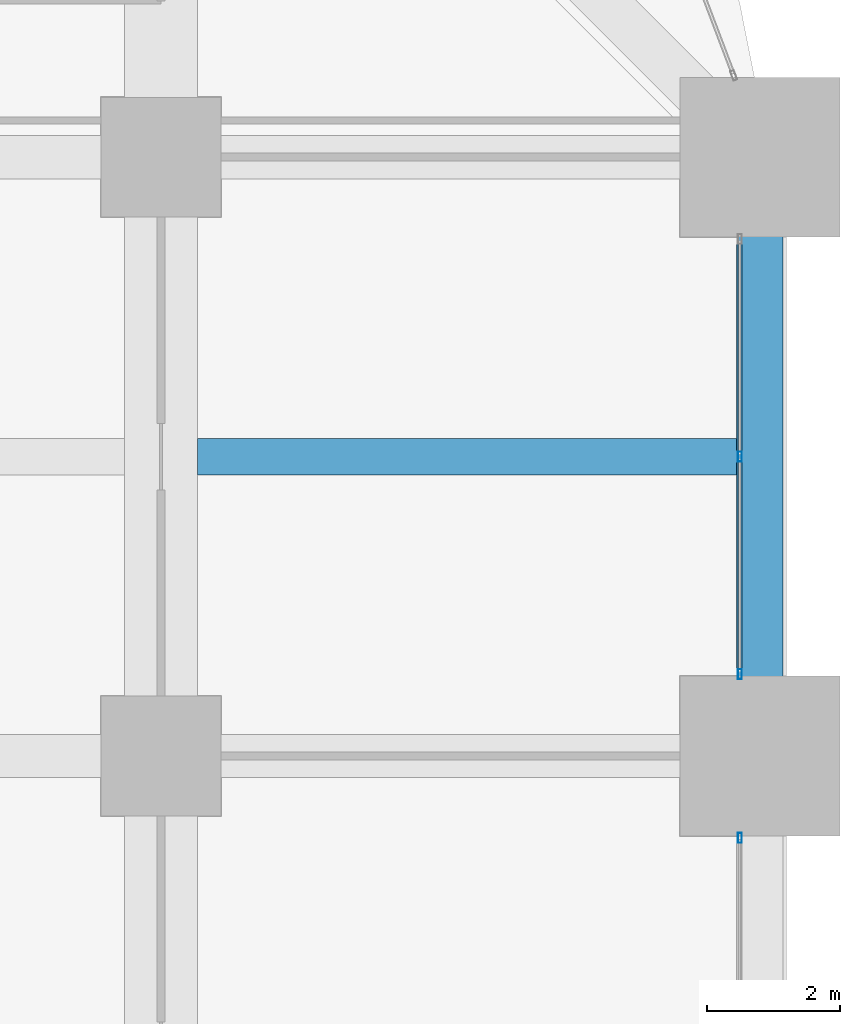
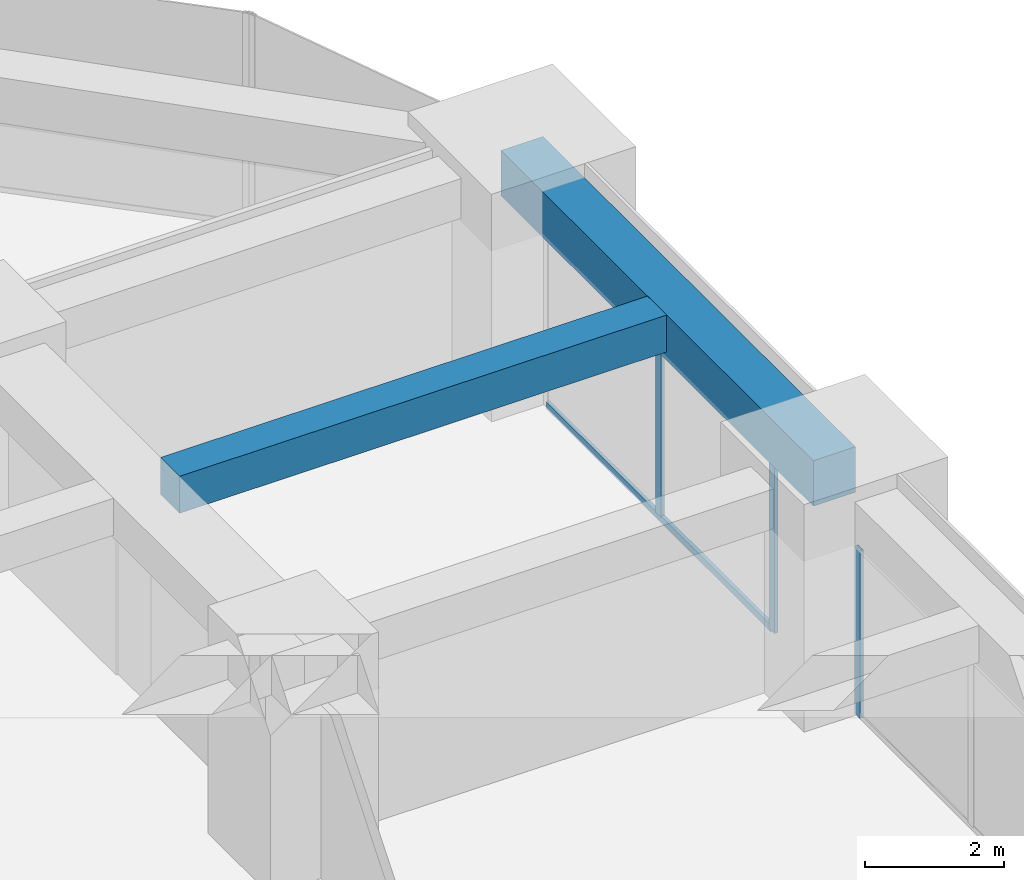
# One storey, part 23 of 40: 4 members, 2 beams, 2 elements without a shape of their own.
"""IFC4 building model written with IfcOpenShell, lengths in metres."""

from ifc_helpers import new_model, si_unit, direction, frame, origin, origin_2d, place, context, subcontext, project, spatial, rectangle, hollow_rectangle, extrude, material, material_profile, profile_set, type_object, element, aggregate, save


model = new_model("IFC4")

# Units and contexts
model_context = context("Model", 3, precision=1e-05, world=origin(), true_north=direction((0.0, 1.0)))
body_context = subcontext(model_context, "Body", "Model", "MODEL_VIEW")
ifc_project = project(units=[si_unit("LENGTHUNIT", "METRE"), si_unit("AREAUNIT", "SQUARE_METRE"), si_unit("VOLUMEUNIT", "CUBIC_METRE"), si_unit("PLANEANGLEUNIT", "RADIAN"), si_unit("MASSUNIT", "GRAM", prefix="KILO")], contexts=[model_context])

# Site, building, storey
site_placement = place(None, origin())
site = spatial("IfcSite", under=ifc_project, at=site_placement, CompositionType="ELEMENT")
building_placement = place(site_placement, origin())
building = spatial("IfcBuilding", under=site, at=building_placement, Name="Zorevar Civic Tower", CompositionType="ELEMENT")
storey_placement = place(building_placement, frame((0.0, 0.0, 129.0)))
storey = spatial("IfcBuildingStorey", under=building, at=storey_placement, Name="L31", CompositionType="ELEMENT", Elevation=129.0)

# Beam
ifc_material_1 = material(Name="Concrete C50/60", Category="concrete")
ifc_material_profile_1 = material_profile(ifc_material_1, rectangle(XDim=0.550048828125, YDim=0.64990234375, at=origin_2d()), Name="RC 550x650")
ifc_profile_set_1 = profile_set([ifc_material_profile_1], Name="Concrete C50/60")
beam_type_1 = type_object("IfcBeamType", Name="Beam RC 550x650", PredefinedType="BEAM", material=ifc_profile_set_1)
beam_1_placement = place(storey_placement, frame((54.550048828125, 31.5, 3.425048828125), z_axis=(1.0, 0.0, 0.0), x_axis=(0.0, 1.0, 0.0)))
element("IfcBeam", 1, at=beam_1_placement, inside=storey, type_object=beam_type_1, Name="Secondary beam L32", PredefinedType="BEAM", context=body_context, shape_type="SweptSolid", body=[
    extrude(rectangle(XDim=0.550048828125, YDim=0.64990234375, at=origin_2d()), origin(), (0.0, 0.0, 1.0), 8.099853515625),
])

# Curtain wall, member
ifc_material_2 = material(Name="Dark grey solar-control glass in black aluminium frame", Category="aluminium")
curtain_wall_type = type_object("IfcCurtainWallType", Name="Curtain wall CW3 mid zone", PredefinedType="NOTDEFINED", material=ifc_material_2)
curtain_wall_1_placement = place(storey_placement, origin())
curtain_wall_1 = element("IfcCurtainWall", 2, at=curtain_wall_1_placement, inside=storey, type_object=curtain_wall_type, Name="CW3 L31", PredefinedType="NOTDEFINED")
ifc_material_3 = material(Name="Aluminium, black anodised", Category="aluminium")
ifc_material_profile_2 = material_profile(ifc_material_3, hollow_rectangle(XDim=0.06005859375, YDim=0.14990234375, WallThickness=0.00390625, at=origin_2d()), Name="AL 150x60x4")
ifc_profile_set_2 = profile_set([ifc_material_profile_2], Name="Aluminium, black anodised")
member_type_1 = type_object("IfcMemberType", Name="CW3 mullion AL 150x60x4", PredefinedType="MULLION", material=ifc_profile_set_2)
member_1_placement = place(storey_placement, frame((62.699951171875, 25.77001953125, 0.0), z_axis=(0.0, 0.0, 1.0), x_axis=(-1.0, 0.0, 0.0)))
member_1 = element("IfcMember", 3, at=member_1_placement, type_object=member_type_1, Name="CW3 mullion 3", PredefinedType="MULLION", context=body_context, shape_type="SweptSolid", body=[
    extrude(hollow_rectangle(XDim=0.06005859375, YDim=0.14990234375, WallThickness=0.00390625, at=origin_2d()), origin(), (0.0, 0.0, 1.0), 2.949951171875),
])
aggregate(curtain_wall_1, [member_1])

# Curtain wall, members
curtain_wall_2_placement = place(storey_placement, origin())
curtain_wall_2 = element("IfcCurtainWall", 4, at=curtain_wall_2_placement, inside=storey, type_object=curtain_wall_type, Name="CW3 L31", PredefinedType="NOTDEFINED")
member_2_placement = place(storey_placement, frame((62.699951171875, 28.22998046875, 0.0), z_axis=(0.0, 0.0, 1.0), x_axis=(-1.0, 0.0, 0.0)))
member_2 = element("IfcMember", 5, at=member_2_placement, type_object=member_type_1, Name="CW3 mullion 1", PredefinedType="MULLION", context=body_context, shape_type="SweptSolid", body=[
    extrude(hollow_rectangle(XDim=0.06005859375, YDim=0.14990234375, WallThickness=0.00390625, at=origin_2d()), origin(), (0.0, 0.0, 1.0), 2.949951171875),
])
member_3_placement = place(storey_placement, frame((62.699951171875, 31.5, 0.06005859375), z_axis=(0.0, 0.0, 1.0), x_axis=(-1.0, 0.0, 0.0)))
member_3 = element("IfcMember", 6, at=member_3_placement, type_object=member_type_1, Name="CW3 mullion 2", PredefinedType="MULLION", context=body_context, shape_type="SweptSolid", body=[
    extrude(hollow_rectangle(XDim=0.06005859375, YDim=0.14990234375, WallThickness=0.00390625, at=origin_2d()), origin(), (0.0, 0.0, 1.0), 2.889892578125),
])
ifc_material_4 = material(Name="Aluminium, black anodised", Category="aluminium")
ifc_material_profile_3 = material_profile(ifc_material_4, hollow_rectangle(XDim=0.06005859375, YDim=0.1201171875, WallThickness=0.0029296875, at=origin_2d()), Name="AL 120x60x3")
ifc_profile_set_3 = profile_set([ifc_material_profile_3], Name="Aluminium, black anodised")
member_type_2 = type_object("IfcMemberType", Name="CW3 transom AL 120x60x3", PredefinedType="USERDEFINED", material=ifc_profile_set_3)
member_4_placement = place(storey_placement, frame((62.699951171875, 28.260009765625, 0.030029296875), z_axis=(0.0, 1.0, 0.0), x_axis=(-1.0, 0.0, 0.0)))
member_4 = element("IfcMember", 7, at=member_4_placement, type_object=member_type_2, Name="CW3 sill transom", ObjectType="TRANSOM", PredefinedType="USERDEFINED", context=body_context, shape_type="SweptSolid", body=[
    extrude(hollow_rectangle(XDim=0.06005859375, YDim=0.1201171875, WallThickness=0.0029296875, at=origin_2d()), origin(), (0.0, 0.0, 1.0), 6.47998046875),
])
aggregate(curtain_wall_2, [member_2, member_3, member_4])

# Beam
ifc_material_5 = material(Name="Concrete C50/60", Category="concrete")
ifc_material_profile_4 = material_profile(ifc_material_5, rectangle(XDim=0.699951171875, YDim=0.800048828125, at=origin_2d()), Name="RC 700x800")
ifc_profile_set_4 = profile_set([ifc_material_profile_4], Name="Concrete C50/60")
beam_type_2 = type_object("IfcBeamType", Name="Edge beam RC 700x800", PredefinedType="SPANDREL", material=ifc_profile_set_4)
beam_2_placement = place(storey_placement, frame((63.0, 27.0, 3.35009765625), z_axis=(0.0, 1.0, 0.0), x_axis=(-1.0, 0.0, 0.0)))
element("IfcBeam", 8, at=beam_2_placement, inside=storey, type_object=beam_type_2, Name="Edge beam L32", PredefinedType="SPANDREL", context=body_context, shape_type="SweptSolid", body=[
    extrude(rectangle(XDim=0.699951171875, YDim=0.800048828125, at=origin_2d()), origin(), (0.0, 0.0, 1.0), 9.0),
])

save(model, "model.ifc")
